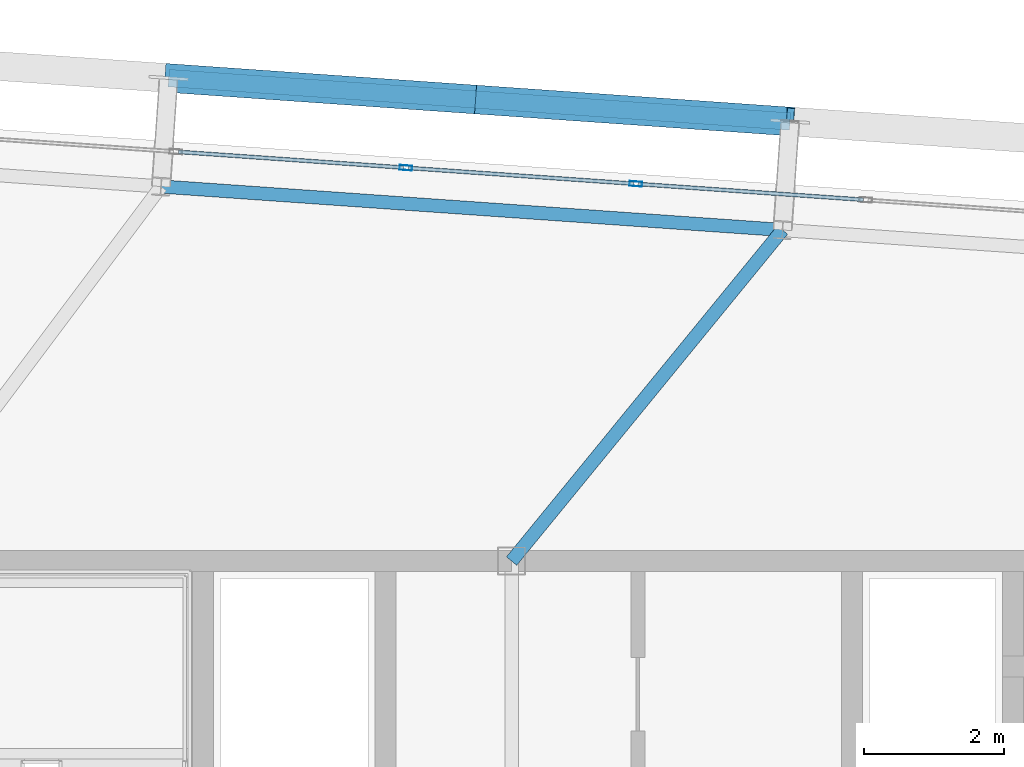
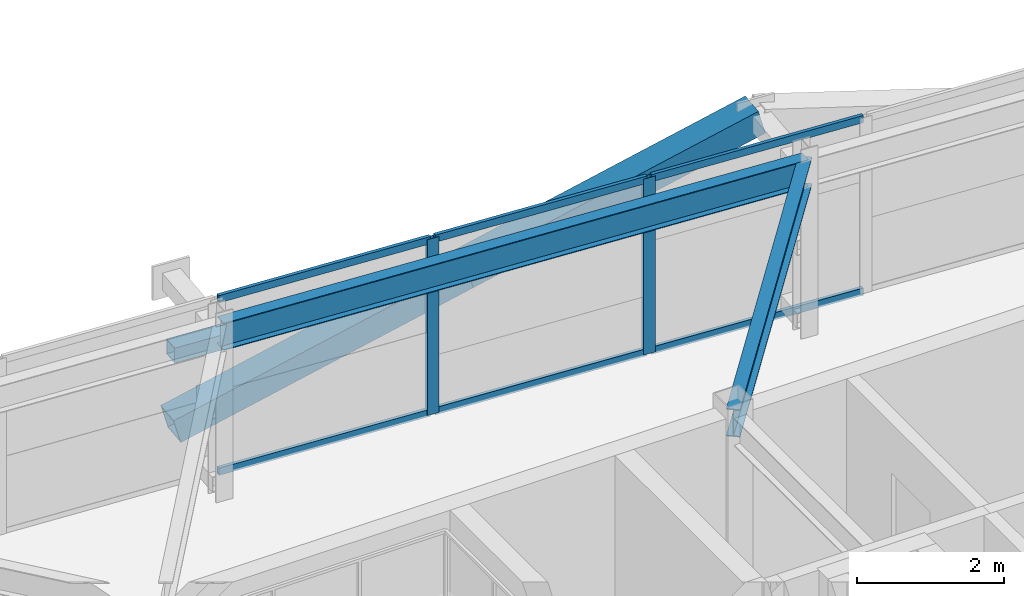
# One storey, part 27 of 47: 11 members, 2 beams, 1 element without a shape of its own.
"""IFC4 building model written with IfcOpenShell, lengths in metres."""

from ifc_helpers import new_model, si_unit, direction, frame, origin, origin_2d, place, context, subcontext, project, spatial, hollow_rectangle, i_section, extrude, source, transform, mapped, material, layer, layer_set, material_profile, profile_set, type_object, element, aggregate, save


model = new_model("IFC4")

# Units and contexts
model_context = context("Model", 3, precision=1e-05, world=origin(), true_north=direction((0.0, 1.0)))
body_context = subcontext(model_context, "Body", "Model", "MODEL_VIEW")
ifc_project = project(units=[si_unit("LENGTHUNIT", "METRE"), si_unit("AREAUNIT", "SQUARE_METRE"), si_unit("VOLUMEUNIT", "CUBIC_METRE"), si_unit("PLANEANGLEUNIT", "RADIAN"), si_unit("MASSUNIT", "GRAM", prefix="KILO")], contexts=[model_context])

# Site, building, storey
site_placement = place(None, origin())
site = spatial("IfcSite", under=ifc_project, at=site_placement, CompositionType="ELEMENT")
building_placement = place(site_placement, origin())
building = spatial("IfcBuilding", under=site, at=building_placement, Name="Taldren Reach Tower", CompositionType="ELEMENT")
storey_placement = place(building_placement, frame((0.0, 0.0, 142.449951171875)))
storey = spatial("IfcBuildingStorey", under=building, at=storey_placement, Name="L43", CompositionType="ELEMENT", Elevation=142.449951171875)

# Beams
ifc_material_1 = material(Name="Steel Gr 350 (350PLUS)", Category="steel")
ifc_material_profile_1 = material_profile(ifc_material_1, i_section(OverallWidth=0.18994140625, OverallDepth=0.4541015625, WebThickness=0.008544921875, FlangeThickness=0.0126953125, at=origin_2d()), Name="460UB67.1")
ifc_profile_set_1 = profile_set([ifc_material_profile_1], Name="Steel Gr 350 (350PLUS)")
beam_type_1 = type_object("IfcBeamType", Name="SP-UB460B", PredefinedType="SPANDREL", material=ifc_profile_set_1)
shared_shape_1 = source(origin(), body_context, "Body", "SweptSolid", [
    extrude(i_section(OverallWidth=0.18994140625, OverallDepth=0.4541015625, WebThickness=0.008544921875, FlangeThickness=0.0126953125, at=origin_2d()), origin(), (0.0, 0.0, 1.0), 8.880126953125),
])
beam_1_placement = place(storey_placement, frame((31.861328125, 36.719970703125, 2.703125), z_axis=(-0.997564479639, 0.069750333063, 0.0), x_axis=(-0.069750333063, -0.997564479639, 0.0)))
element("IfcBeam", 1, at=beam_1_placement, inside=storey, type_object=beam_type_1, Name="Perimeter spandrel B3 N3-N2 L43", PredefinedType="SPANDREL", context=body_context, shape_type="MappedRepresentation", body=[
    mapped(shared_shape_1, transform((0.0, 0.0, 0.0), scale=1.0)),
])
ifc_material_profile_2 = material_profile(ifc_material_1, i_section(OverallWidth=0.19091796875, OverallDepth=0.4599609375, WebThickness=0.010009765625, FlangeThickness=0.01611328125, at=origin_2d()), Name="460UB82.1")
ifc_profile_set_2 = profile_set([ifc_material_profile_2], Name="Steel Gr 350 (350PLUS)")
beam_type_2 = type_object("IfcBeamType", Name="BM-UB460A", PredefinedType="BEAM", material=ifc_profile_set_2)
shared_shape_2 = source(origin(), body_context, "Body", "SweptSolid", [
    extrude(i_section(OverallWidth=0.19091796875, OverallDepth=0.4599609375, WebThickness=0.010009765625, FlangeThickness=0.01611328125, at=origin_2d()), origin(), (0.0, 0.0, 1.0), 6.09814453125),
])
beam_2_placement = place(storey_placement, frame((28.0, 32.0, 2.699951171875), z_axis=(0.633192006663, 0.773994756247, 0.0), x_axis=(-0.773994756247, 0.633192006663, 0.0)))
element("IfcBeam", 2, at=beam_2_placement, inside=storey, type_object=beam_type_2, Name="Primary floor girder B3-N3 L43", PredefinedType="BEAM", context=body_context, shape_type="MappedRepresentation", body=[
    mapped(shared_shape_2, transform((0.0, 0.0, 0.0), scale=1.0)),
])

# Members
ifc_material_2 = material(Name="Steel Gr 350 (C350L0)", Category="steel")
ifc_material_profile_3 = material_profile(ifc_material_2, hollow_rectangle(XDim=0.25, YDim=0.25, WallThickness=0.010009765625, at=origin_2d()), Name="250x250x10.0SHS")
ifc_profile_set_3 = profile_set([ifc_material_profile_3], Name="Steel Gr 350 (C350L0)")
member_type_1 = type_object("IfcMemberType", Name="MB-POST250", PredefinedType="POST", material=ifc_profile_set_3)
shared_shape_3 = source(origin(), body_context, "Body", "SweptSolid", [
    extrude(hollow_rectangle(XDim=0.25, YDim=0.25, WallThickness=0.010009765625, at=origin_2d()), origin(), (0.0, 0.0, 1.0), 8.880126953125),
])
member_1_placement = place(storey_placement, frame((23.111083984375, 38.885498046875, 1.43505859375), z_axis=(0.997564479639, -0.069750333063, 0.0), x_axis=(0.069750333063, 0.997564479639, 0.0)))
element("IfcMember", 3, at=member_1_placement, inside=storey, type_object=member_type_1, Name="Exoskeleton mid-height ring chord B3-N2 L43", PredefinedType="POST", context=body_context, shape_type="MappedRepresentation", body=[
    mapped(shared_shape_3, transform((0.0, 0.0, 0.0), scale=1.0)),
])
ifc_material_3 = material(Name="Steel Gr 450 (C450L0)", Category="steel")
ifc_material_profile_4 = material_profile(ifc_material_3, hollow_rectangle(XDim=0.409912109375, YDim=0.409912109375, WallThickness=0.01611328125, at=origin_2d()), Name="410x410x16.0SHS")
ifc_profile_set_4 = profile_set([ifc_material_profile_4], Name="Steel Gr 450 (C450L0)")
member_type_2 = type_object("IfcMemberType", Name="MB-EXO406", PredefinedType="BRACE", material=ifc_profile_set_4)
shared_shape_4 = source(origin(), body_context, "Body", "SweptSolid", [
    extrude(hollow_rectangle(XDim=0.409912109375, YDim=0.409912109375, WallThickness=0.01611328125, at=origin_2d()), origin(), (0.0, 0.0, 1.0), 4.603271484375),
])
for number, where, z_axis, x_axis, name in (
    (4, (23.111083984375, 38.885498046875, 0.219970703125), (0.962185784239, -0.067250114343, 0.263962002434), (0.069722973508, 0.997566392259, 0.0), "Exoskeleton Diagrid Brace B3-N2 L43"),
    (5, (27.540283203125, 38.575927734375, 1.43505859375), (0.962182351074, -0.067302910567, 0.263961060594), (0.06977769246, 0.997562566276, 0.0), "Exoskeleton Diagrid Brace B3-N2 L43"),
):
    element("IfcMember", number, at=place(storey_placement, frame(where, z_axis=z_axis, x_axis=x_axis)), inside=storey, type_object=member_type_2, Name=name, PredefinedType="BRACE", context=body_context, shape_type="MappedRepresentation", body=[
        mapped(shared_shape_4, transform((0.0, 0.0, 0.0), scale=1.0)),
    ])

# Curtain wall, members
ifc_material_4 = material(Name="Aluminium and Low-E Glass Unitised System", Category="aluminium")
ifc_layer = layer(ifc_material_4, 0.159912109375)
ifc_layer_set = layer_set([ifc_layer], Name="Aluminium and Low-E Glass Unitised System")
curtain_wall_type = type_object("IfcCurtainWallType", Name="CW-SYS-4", PredefinedType="NOTDEFINED", material=ifc_layer_set)
curtain_wall_placement = place(storey_placement, origin())
curtain_wall = element("IfcCurtainWall", 6, at=curtain_wall_placement, inside=storey, type_object=curtain_wall_type, Name="Unitised curtain wall CW-L43-N", PredefinedType="NOTDEFINED")
ifc_material_5 = material(Name="Anodised Aluminium 6063-T6", Category="aluminium")
ifc_material_profile_5 = material_profile(ifc_material_5, hollow_rectangle(XDim=0.070068359375, YDim=0.179931640625, WallThickness=0.00390625, at=origin_2d()), Name="ALU-180x70x4RHS")
ifc_profile_set_5 = profile_set([ifc_material_profile_5], Name="Anodised Aluminium 6063-T6")
member_type_3 = type_object("IfcMemberType", Name="CW-MUL-180", PredefinedType="MULLION", material=ifc_profile_set_5)
shared_shape_5 = source(origin(), body_context, "Body", "SweptSolid", [
    extrude(hollow_rectangle(XDim=0.070068359375, YDim=0.179931640625, WallThickness=0.00390625, at=origin_2d()), origin(), (0.0, 0.0, 1.0), 2.929931640625),
])
member_2_placement = place(storey_placement, frame((29.770751953125, 37.37744140625, 0.0), z_axis=(0.0, 0.0, 1.0), x_axis=(-0.06975651593, -0.99756404731, 0.0)))
member_2 = element("IfcMember", 7, at=member_2_placement, type_object=member_type_3, Name="CW-4 mullion 10", PredefinedType="MULLION", context=body_context, shape_type="MappedRepresentation", body=[
    mapped(shared_shape_5, transform((0.0, 0.0, 0.0), scale=1.0)),
])
member_3_placement = place(storey_placement, frame((26.492919921875, 37.6064453125, 0.0), z_axis=(0.0, 0.0, 1.0), x_axis=(-0.06975651593, -0.99756404731, 0.0)))
member_3 = element("IfcMember", 8, at=member_3_placement, type_object=member_type_3, Name="CW-4 mullion 11", PredefinedType="MULLION", context=body_context, shape_type="MappedRepresentation", body=[
    mapped(shared_shape_5, transform((0.0, 0.0, 0.0), scale=1.0)),
])
ifc_material_profile_6 = material_profile(ifc_material_5, hollow_rectangle(XDim=0.054931640625, YDim=0.1201171875, WallThickness=0.0029296875, at=origin_2d()), Name="ALU-120x55x3RHS")
ifc_profile_set_6 = profile_set([ifc_material_profile_6], Name="Anodised Aluminium 6063-T6")
member_type_4 = type_object("IfcMemberType", Name="CW-TRN-135", PredefinedType="USERDEFINED", material=ifc_profile_set_6)
shared_shape_6 = source(origin(), body_context, "Body", "SweptSolid", [
    extrude(hollow_rectangle(XDim=0.054931640625, YDim=0.1201171875, WallThickness=0.0029296875, at=origin_2d()), origin(), (0.0, 0.0, 1.0), 3.2158203125),
])
member_4_placement = place(storey_placement, frame((29.73583984375, 37.3798828125, 0.027587890625), z_axis=(-0.997568476954, 0.069693140171, 0.0), x_axis=(-0.069693140171, -0.997568476954, 0.0)))
member_4 = element("IfcMember", 9, at=member_4_placement, type_object=member_type_4, Name="CW-4 transom 10.1", ObjectType="TRANSOM", PredefinedType="USERDEFINED", context=body_context, shape_type="MappedRepresentation", body=[
    mapped(shared_shape_6, transform((0.0, 0.0, 0.0), scale=1.0)),
])
member_5_placement = place(storey_placement, frame((29.73583984375, 37.3798828125, 2.902587890625), z_axis=(-0.997568476954, 0.069693140171, 0.0), x_axis=(-0.069693140171, -0.997568476954, 0.0)))
member_5 = element("IfcMember", 10, at=member_5_placement, type_object=member_type_4, Name="CW-4 transom 10.2", ObjectType="TRANSOM", PredefinedType="USERDEFINED", context=body_context, shape_type="MappedRepresentation", body=[
    mapped(shared_shape_6, transform((0.0, 0.0, 0.0), scale=1.0)),
])
shared_shape_7 = source(origin(), body_context, "Body", "SweptSolid", [
    extrude(hollow_rectangle(XDim=0.054931640625, YDim=0.1201171875, WallThickness=0.0029296875, at=origin_2d()), origin(), (0.0, 0.0, 1.0), 3.215576171875),
])
member_6_placement = place(storey_placement, frame((33.013427734375, 37.150634765625, 0.027587890625), z_axis=(-0.997562826405, 0.069773973473, 0.0), x_axis=(-0.069773973473, -0.997562826405, 0.0)))
member_6 = element("IfcMember", 11, at=member_6_placement, type_object=member_type_4, Name="CW-4 transom 9.1", ObjectType="TRANSOM", PredefinedType="USERDEFINED", context=body_context, shape_type="MappedRepresentation", body=[
    mapped(shared_shape_7, transform((0.0, 0.0, 0.0), scale=1.0)),
])
member_7_placement = place(storey_placement, frame((33.013427734375, 37.150634765625, 2.902587890625), z_axis=(-0.997562826405, 0.069773973473, 0.0), x_axis=(-0.069773973473, -0.997562826405, 0.0)))
member_7 = element("IfcMember", 12, at=member_7_placement, type_object=member_type_4, Name="CW-4 transom 9.2", ObjectType="TRANSOM", PredefinedType="USERDEFINED", context=body_context, shape_type="MappedRepresentation", body=[
    mapped(shared_shape_7, transform((0.0, 0.0, 0.0), scale=1.0)),
])
member_8_placement = place(storey_placement, frame((26.4580078125, 37.60888671875, 0.027587890625), z_axis=(-0.997562826405, 0.069773973473, 0.0), x_axis=(-0.069773973473, -0.997562826405, 0.0)))
member_8 = element("IfcMember", 13, at=member_8_placement, type_object=member_type_4, Name="CW-4 transom 11.1", ObjectType="TRANSOM", PredefinedType="USERDEFINED", context=body_context, shape_type="MappedRepresentation", body=[
    mapped(shared_shape_7, transform((0.0, 0.0, 0.0), scale=1.0)),
])
member_9_placement = place(storey_placement, frame((26.4580078125, 37.60888671875, 2.902587890625), z_axis=(-0.997562826405, 0.069773973473, 0.0), x_axis=(-0.069773973473, -0.997562826405, 0.0)))
member_9 = element("IfcMember", 14, at=member_9_placement, type_object=member_type_4, Name="CW-4 transom 11.2", ObjectType="TRANSOM", PredefinedType="USERDEFINED", context=body_context, shape_type="MappedRepresentation", body=[
    mapped(shared_shape_7, transform((0.0, 0.0, 0.0), scale=1.0)),
])
aggregate(curtain_wall, [member_2, member_3, member_6, member_7, member_4, member_5, member_8, member_9])

save(model, "model.ifc")
